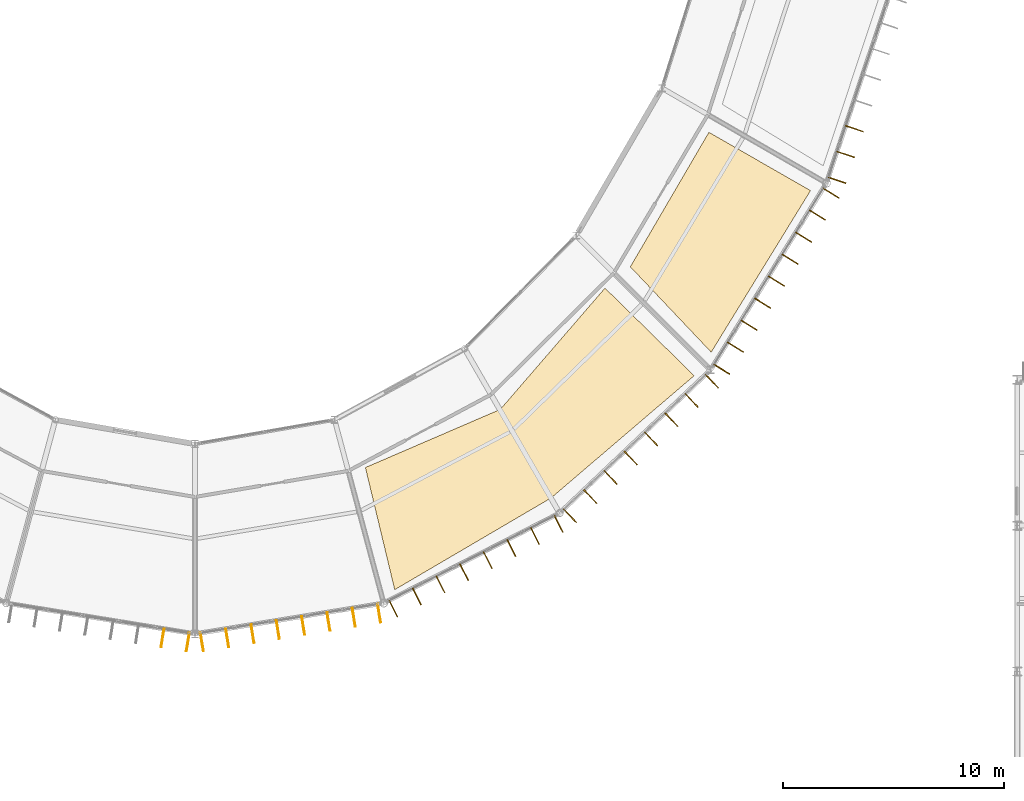
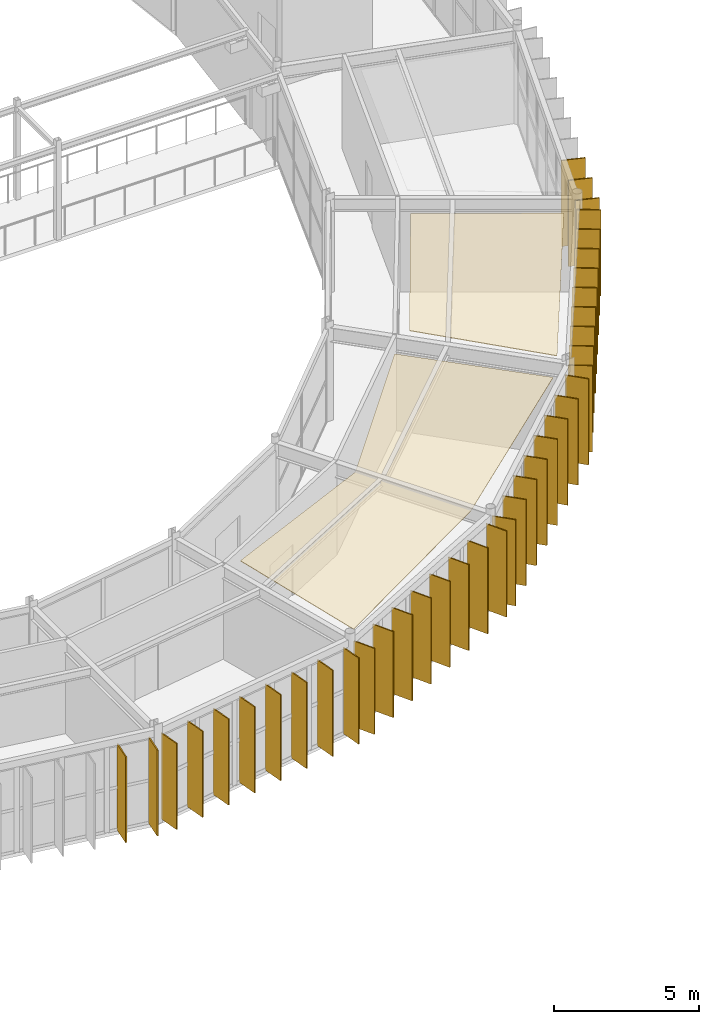
# One storey, part 137 of 148: 38 shading devices, 2 coverings.
"""IFC4 building model written with IfcOpenShell, lengths in metres."""

from ifc_helpers import new_model, si_unit, direction, frame, origin, origin_2d, place, context, subcontext, project, spatial, polyline, rectangle, outline, extrude, material, layer, layer_set, type_object, element, save


model = new_model("IFC4")

# Units and contexts
model_context = context("Model", 3, precision=1e-05, world=origin(), true_north=direction((0.0, 1.0)))
body_context = subcontext(model_context, "Body", "Model", "MODEL_VIEW")
ifc_project = project(units=[si_unit("LENGTHUNIT", "METRE"), si_unit("AREAUNIT", "SQUARE_METRE"), si_unit("VOLUMEUNIT", "CUBIC_METRE"), si_unit("PLANEANGLEUNIT", "RADIAN"), si_unit("MASSUNIT", "GRAM", prefix="KILO")], contexts=[model_context])

# Site, building, storey
site_placement = place(None, origin())
site = spatial("IfcSite", under=ifc_project, at=site_placement, CompositionType="ELEMENT")
building_placement = place(site_placement, origin())
building = spatial("IfcBuilding", under=site, at=building_placement, Name="Karori Crest Natural Sciences Institute", CompositionType="ELEMENT")
storey_placement = place(building_placement, frame((0.0, 0.0, 4.89990234375)))
storey = spatial("IfcBuildingStorey", under=building, at=storey_placement, Name="L01", CompositionType="ELEMENT", Elevation=4.89990234375)

# Coverings
ifc_material_1 = material(Name="Acoustic mineral fibre ceiling tile")
ifc_layer_1 = layer(ifc_material_1, 0.02490234375, Name="Acoustic mineral fibre ceiling tile")
ifc_layer_set_1 = layer_set([ifc_layer_1], Name="Acoustic mineral fibre ceiling tile")
covering_type = type_object("IfcCoveringType", Name="CVT-CEIL", PredefinedType="CEILING", material=ifc_layer_set_1)
covering_1_placement = place(storey_placement, frame((0.0, 0.0, 3.705078125)))
element("IfcCovering", 1, at=covering_1_placement, inside=storey, type_object=covering_type, Name="Acoustic ceiling CLG-0062", PredefinedType="CEILING", context=body_context, shape_type="SweptSolid", body=[
    extrude(outline(polyline([(80.218017578125, 19.26513671875), (74.111572265625, 16.631591796875), (75.43798828125, 11.104248046875), (82.518798828125, 15.258056640625), (88.989013671875, 20.788330078125), (84.952880859375, 24.751708984375), (80.218017578125, 19.26513671875)])), origin(), (0.0, 0.0, 1.0), 0.02490234375),
])
covering_2_placement = place(storey_placement, frame((0.0, 0.0, 3.705078125)))
element("IfcCovering", 2, at=covering_2_placement, inside=storey, type_object=covering_type, Name="Acoustic ceiling CLG-0063", PredefinedType="CEILING", context=body_context, shape_type="SweptSolid", body=[
    extrude(outline(polyline([(89.655029296875, 31.80126953125), (86.099609375, 25.714599609375), (89.7587890625, 21.849609375), (94.253662109375, 29.162109375), (89.655029296875, 31.80126953125)])), origin(), (0.0, 0.0, 1.0), 0.02490234375),
])

# Shading devices
ifc_material_2 = material(Name="Anodised architectural aluminium 6063-T6", Category="aluminium")
ifc_layer_2 = layer(ifc_material_2, 0.044921875, Name="Anodised architectural aluminium 6063-T6")
ifc_layer_set_2 = layer_set([ifc_layer_2], Name="Anodised architectural aluminium 6063-T6")
shading_device_type = type_object("IfcShadingDeviceType", Name="SDT-FIN", PredefinedType="USERDEFINED", material=ifc_layer_set_2)
for number, where, z_axis, x_axis, name in (
    (3, (66.081787109375, 8.736328125, 0.0), (0.0, 0.0, 1.0), (-0.160651265334, -0.987011231419, 0.0), "Vertical solar fin FN-0146"),
    (4, (64.9345703125, 8.923095703125, 0.0), (0.0, 0.0, 1.0), (-0.160651265334, -0.987011231419, 0.0), "Vertical solar fin FN-0147"),
    (5, (74.734619140625, 10.041259765625, 0.0), (0.0, 0.0, 1.0), (0.16065643331, -0.987010390237, 0.0), "Vertical solar fin FN-0154"),
    (6, (73.58935546875, 9.85498046875, 0.0), (0.0, 0.0, 1.0), (0.16065643331, -0.987010390237, 0.0), "Vertical solar fin FN-0155"),
    (7, (72.444091796875, 9.66845703125, 0.0), (0.0, 0.0, 1.0), (0.16065643331, -0.987010390237, 0.0), "Vertical solar fin FN-0156"),
    (8, (71.299072265625, 9.48193359375, 0.0), (0.0, 0.0, 1.0), (0.16065643331, -0.987010390237, 0.0), "Vertical solar fin FN-0157"),
    (9, (70.15380859375, 9.295654296875, 0.0), (0.0, 0.0, 1.0), (0.16065643331, -0.987010390237, 0.0), "Vertical solar fin FN-0158"),
    (10, (69.008544921875, 9.109130859375, 0.0), (0.0, 0.0, 1.0), (0.16065643331, -0.987010390237, 0.0), "Vertical solar fin FN-0159"),
    (11, (67.86328125, 8.9228515625, 0.0), (0.0, 0.0, 1.0), (0.16065643331, -0.987010390237, 0.0), "Vertical solar fin FN-0160"),
    (12, (66.718017578125, 8.736328125, 0.0), (0.0, 0.0, 1.0), (0.16065643331, -0.987010390237, 0.0), "Vertical solar fin FN-0161"),
    (13, (82.85546875, 14.082763671875, 0.0), (0.0, 0.0, 1.0), (0.455832320655, -0.890065669176, 0.0), "Vertical solar fin FN-0162"),
    (14, (81.78662109375, 13.535400390625, 0.0), (0.0, 0.0, 1.0), (0.455832320655, -0.890065669176, 0.0), "Vertical solar fin FN-0163"),
    (15, (80.7177734375, 12.988037109375, 0.0), (0.0, 0.0, 1.0), (0.455832320655, -0.890065669176, 0.0), "Vertical solar fin FN-0164"),
    (16, (79.64892578125, 12.440673828125, 0.0), (0.0, 0.0, 1.0), (0.455832320655, -0.890065669176, 0.0), "Vertical solar fin FN-0165"),
    (17, (78.580078125, 11.893310546875, 0.0), (0.0, 0.0, 1.0), (0.455832320655, -0.890065669176, 0.0), "Vertical solar fin FN-0166"),
    (18, (77.510986328125, 11.345703125, 0.0), (0.0, 0.0, 1.0), (0.455832320655, -0.890065669176, 0.0), "Vertical solar fin FN-0167"),
    (19, (76.4423828125, 10.79833984375, 0.0), (0.0, 0.0, 1.0), (0.455832320655, -0.890065669176, 0.0), "Vertical solar fin FN-0168"),
    (20, (75.373291015625, 10.2509765625, 0.0), (0.0, 0.0, 1.0), (0.455832320655, -0.890065669176, 0.0), "Vertical solar fin FN-0169"),
    (21, (89.7900390625, 20.53759765625, 0.0), (0.0, 0.0, 1.0), (0.688250755242, -0.725472878824, 0.0), "Vertical solar fin FN-0170"),
    (22, (88.873046875, 19.66748046875, 0.0), (0.0, 0.0, 1.0), (0.688250755242, -0.725472878824, 0.0), "Vertical solar fin FN-0171"),
    (23, (87.9560546875, 18.797607421875, 0.0), (0.0, 0.0, 1.0), (0.688250755242, -0.725472878824, 0.0), "Vertical solar fin FN-0172"),
    (24, (87.0390625, 17.927734375, 0.0), (0.0, 0.0, 1.0), (0.688250755242, -0.725472878824, 0.0), "Vertical solar fin FN-0173"),
    (25, (86.1220703125, 17.0576171875, 0.0), (0.0, 0.0, 1.0), (0.688250755242, -0.725472878824, 0.0), "Vertical solar fin FN-0174"),
    (26, (85.204833984375, 16.187744140625, 0.0), (0.0, 0.0, 1.0), (0.688250755242, -0.725472878824, 0.0), "Vertical solar fin FN-0175"),
    (27, (84.287841796875, 15.317626953125, 0.0), (0.0, 0.0, 1.0), (0.688250755242, -0.725472878824, 0.0), "Vertical solar fin FN-0176"),
    (28, (83.370849609375, 14.44775390625, 0.0), (0.0, 0.0, 1.0), (0.688250755242, -0.725472878824, 0.0), "Vertical solar fin FN-0177"),
    (29, (95.181640625, 29.04931640625, 0.0), (0.0, 0.0, 1.0), (0.849661763889, -0.527328063907, 0.0), "Vertical solar fin FN-0178"),
    (30, (94.5634765625, 28.05322265625, 0.0), (0.0, 0.0, 1.0), (0.849661763889, -0.527328063907, 0.0), "Vertical solar fin FN-0179"),
    (31, (93.9453125, 27.05712890625, 0.0), (0.0, 0.0, 1.0), (0.849661763889, -0.527328063907, 0.0), "Vertical solar fin FN-0180"),
    (32, (93.3271484375, 26.06103515625, 0.0), (0.0, 0.0, 1.0), (0.849661763889, -0.527328063907, 0.0), "Vertical solar fin FN-0181"),
    (33, (92.708984375, 25.06494140625, 0.0), (0.0, 0.0, 1.0), (0.849661763889, -0.527328063907, 0.0), "Vertical solar fin FN-0182"),
    (34, (92.090576171875, 24.06884765625, 0.0), (0.0, 0.0, 1.0), (0.849661763889, -0.527328063907, 0.0), "Vertical solar fin FN-0183"),
    (35, (91.472412109375, 23.07275390625, 0.0), (0.0, 0.0, 1.0), (0.849661763889, -0.527328063907, 0.0), "Vertical solar fin FN-0184"),
    (36, (90.854248046875, 22.07666015625, 0.0), (0.0, 0.0, 1.0), (0.849661763889, -0.527328063907, 0.0), "Vertical solar fin FN-0185"),
    (37, (90.236083984375, 21.08056640625, 0.0), (0.0, 0.0, 1.0), (0.849661763889, -0.527328063907, 0.0), "Vertical solar fin FN-0186"),
    (38, (96.23681640625, 31.96435546875, 0.0), (0.0, 0.0, 1.0), (0.948196204549, -0.317685312343, 0.0), "Vertical solar fin FN-0193"),
    (39, (95.845947265625, 30.7978515625, 0.0), (0.0, 0.0, 1.0), (0.948196204549, -0.317685312343, 0.0), "Vertical solar fin FN-0194"),
    (40, (95.455078125, 29.63134765625, 0.0), (0.0, 0.0, 1.0), (0.948196204549, -0.317685312343, 0.0), "Vertical solar fin FN-0195"),
):
    element("IfcShadingDevice", number, at=place(storey_placement, frame(where, z_axis=z_axis, x_axis=x_axis)), inside=storey, type_object=shading_device_type, Name=name, ObjectType="SOLAR_FIN", PredefinedType="USERDEFINED", context=body_context, shape_type="SweptSolid", body=[
        extrude(rectangle(XDim=0.85009765625, YDim=0.044921875, at=origin_2d()), origin(), (0.0, 0.0, 1.0), 3.625),
    ])

save(model, "model.ifc")
